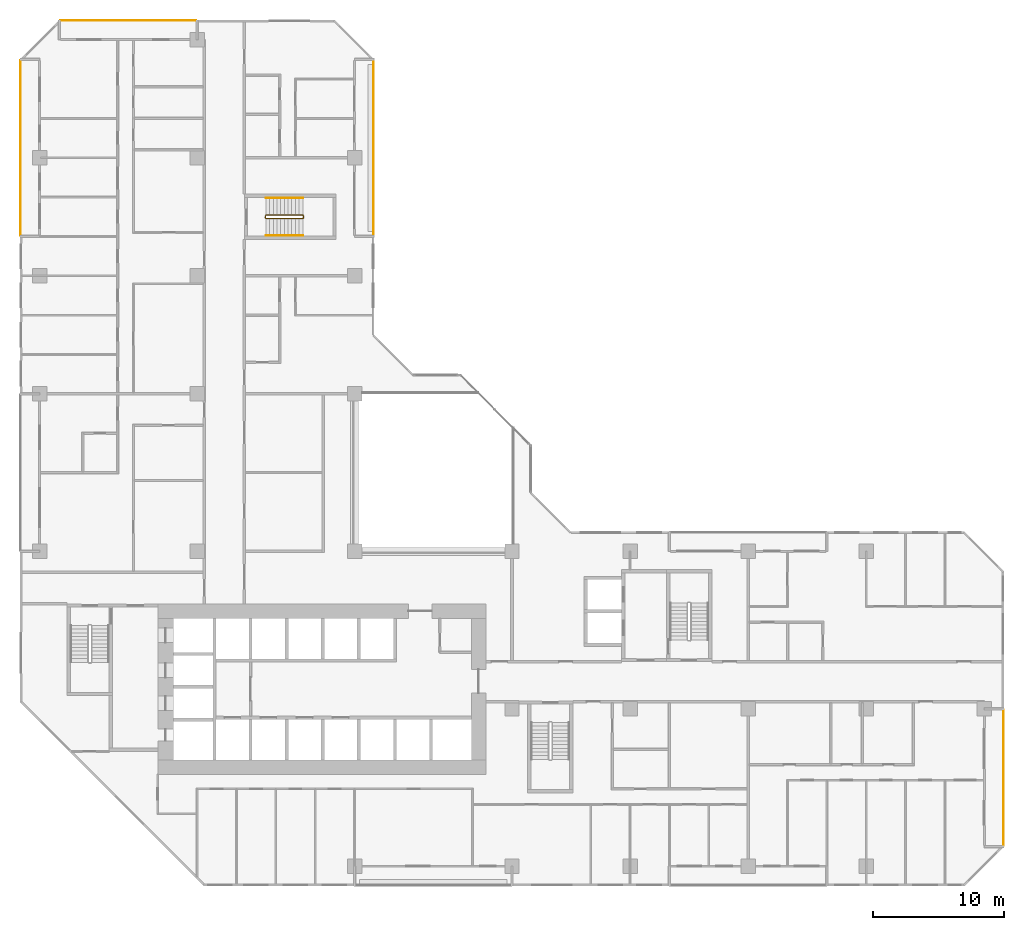
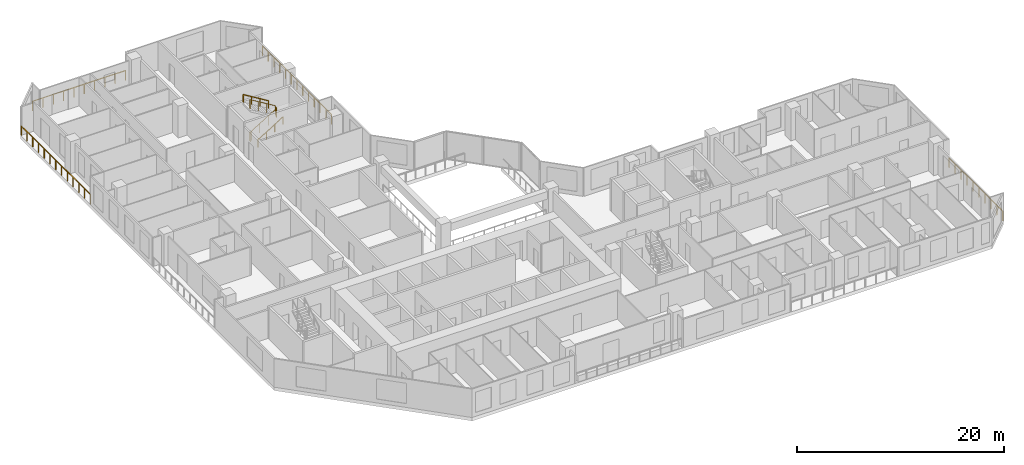
# One storey, part 15 of 15: 7 railings.
"""IFC4 building model written with IfcOpenShell, lengths in metres."""

import ifcopenshell
import ifcopenshell.guid

model = None  # the IFC model being written
_history = None  # IfcOwnerHistory: only IFC2X3 demands one
_inside = {}  # id of a spatial element -> (the spatial element, [elements in it])
_under = {}  # id of a project, library or spatial element -> (it, [spatial elements below it])
_declared = {}  # id of a project -> (the project, [libraries it declares])
_typed = {}  # id of a type object -> (the type object, [elements of that type])
_made_of = {}  # id of a material, layer set ... -> (it, [elements and type objects made of it])


def new_model(schema):
    """Start an empty IFC model of exactly this schema.

    Asked for "IFC4X3", IfcOpenShell would pick the latest addendum, in which some entities
    have other attributes; the version numbers below select the first issue.
    IFC2X3 requires an IfcOwnerHistory on every rooted entity: one is made here for all.
    """
    global model, _history
    if schema == "IFC4X3":
        model = ifcopenshell.file(schema_version=(4, 3, 0, 0))
    else:
        model = ifcopenshell.file(schema=schema)
    _inside.clear()
    _under.clear()
    _declared.clear()
    _typed.clear()
    _made_of.clear()
    _history = None
    if model.schema == "IFC2X3":
        org = make("IfcOrganization", Name="unknown")
        user = make(
            "IfcPersonAndOrganization",
            ThePerson=make("IfcPerson", FamilyName="unknown"),
            TheOrganization=org,
        )
        app = make(
            "IfcApplication",
            ApplicationDeveloper=org,
            Version="unknown",
            ApplicationFullName="unknown",
            ApplicationIdentifier="unknown",
        )
        _history = make(
            "IfcOwnerHistory",
            OwningUser=user,
            OwningApplication=app,
            ChangeAction="ADDED",
            CreationDate=0,
        )
    return model


def make(cls, **values):
    """One entity of the class cls with the attributes given. An attribute that is None is left unset."""
    return model.create_entity(
        cls, **{name: value for name, value in values.items() if value is not None}
    )


def rooted(cls, **values):
    """An entity with a GlobalId (a new one), such as an element, a storey or a relation."""
    return make(cls, GlobalId=ifcopenshell.guid.new(), OwnerHistory=_history, **values)


def si_unit(unit_type, name, prefix=None):
    """IfcSIUnit, for example si_unit("LENGTHUNIT", "METRE", prefix="MILLI")."""
    return make("IfcSIUnit", UnitType=unit_type, Prefix=prefix, Name=name)


def assignment(units):
    """IfcUnitAssignment: the units of a project."""
    return None if units is None else make("IfcUnitAssignment", Units=units)


def point(xyz):
    """IfcCartesianPoint."""
    return None if xyz is None else make("IfcCartesianPoint", Coordinates=xyz)


def direction(xyz):
    """IfcDirection."""
    return None if xyz is None else make("IfcDirection", DirectionRatios=xyz)


def frame(location, z_axis=None, x_axis=None):
    """IfcAxis2Placement3D, a coordinate frame: its origin and axes. An axis left out is left unset."""
    return make(
        "IfcAxis2Placement3D",
        Location=point(location),
        Axis=direction(z_axis),
        RefDirection=direction(x_axis),
    )


def frame_2d(location, x_axis=None):
    """IfcAxis2Placement2D, a coordinate frame in the plane: its origin and x axis."""
    return make(
        "IfcAxis2Placement2D", Location=point(location), RefDirection=direction(x_axis)
    )


def origin():
    """The frame at (0, 0, 0) with its axes left unset."""
    return frame((0.0, 0.0, 0.0))


def origin_2d():
    """The frame at (0, 0) in the plane with its x axis left unset."""
    return frame_2d((0.0, 0.0))


def place(relative_to, where):
    """IfcLocalPlacement: puts the frame where relative to a parent placement (None: the world)."""
    return make(
        "IfcLocalPlacement", PlacementRelTo=relative_to, RelativePlacement=where
    )


def context(
    kind, dimensions, precision=None, world=None, true_north=None, identifier=None
):
    """IfcGeometricRepresentationContext, for example the 3D "Model" context."""
    return make(
        "IfcGeometricRepresentationContext",
        ContextIdentifier=identifier,
        ContextType=kind,
        CoordinateSpaceDimension=dimensions,
        Precision=precision,
        WorldCoordinateSystem=world,
        TrueNorth=true_north,
    )


def subcontext(parent, identifier, kind, view, scale=None):
    """IfcGeometricRepresentationSubContext, for example "Body" below "Model"."""
    return make(
        "IfcGeometricRepresentationSubContext",
        ContextIdentifier=identifier,
        ContextType=kind,
        ParentContext=parent,
        TargetScale=scale,
        TargetView=view,
    )


def project(units=None, contexts=None):
    """IfcProject with its units and contexts."""
    return rooted(
        "IfcProject",
        Name="project",
        RepresentationContexts=contexts,
        UnitsInContext=assignment(units),
    )


def spatial(cls, under=None, at=None, **own):
    """A site, building, storey or space (cls), placed at a placement, below another one or the project."""
    s = rooted(cls, ObjectPlacement=at, **own)
    if under is not None:
        _under.setdefault(under.id(), (under, []))[1].append(s)
    return s


def profile(cls, at=None, kind="AREA", **sizes):
    """A parametric profile (cls). Its sizes go by their IFC names, for example OverallWidth=200.0."""
    return make(cls, ProfileType=kind, Position=at, **sizes)


def rectangle(**sizes):
    """IfcRectangleProfileDef."""
    return profile("IfcRectangleProfileDef", **sizes)


def extrude(swept, where, along, depth):
    """IfcExtrudedAreaSolid: the profile swept, set in the frame where, extruded along a direction by depth."""
    return make(
        "IfcExtrudedAreaSolid",
        SweptArea=swept,
        Position=where,
        ExtrudedDirection=direction(along),
        Depth=depth,
    )


def shape(context_of_items, identifier, shape_type, items):
    """IfcShapeRepresentation: the items that make up one representation, for example the "Body"."""
    return make(
        "IfcShapeRepresentation",
        ContextOfItems=context_of_items,
        RepresentationIdentifier=identifier,
        RepresentationType=shape_type,
        Items=items,
    )


def material(Name=None, Category=None):
    """IfcMaterial."""
    return make("IfcMaterial", Name=Name, Category=Category)


def made_of(thing, what):
    """Note that an element or type object is made of a material, layer set ...; save() writes the relation."""
    if what is not None:
        _made_of.setdefault(what.id(), (what, []))[1].append(thing)
    return thing


def type_object(cls, material=None, **own):
    """A type object (cls), such as IfcWallType, which elements share."""
    return made_of(rooted(cls, **own), material)


def element(
    cls,
    number,
    at=None,
    inside=None,
    cuts=None,
    type_object=None,
    material=None,
    context=None,
    identifier="Body",
    shape_type=None,
    held_by="IfcProductDefinitionShape",
    body=None,
    shapes=None,
    **own,
):
    """One element of the class cls, such as IfcWall. Its Tag is "e" and its number.

    at: its placement. inside: the storey or other place that contains it. cuts: it is an
    opening in that element (IfcRelVoidsElement). A single representation is given by context,
    identifier, shape_type and body (its items); several are given by shapes. held_by: the class
    of the entity that holds the representations. save() writes the other relations.
    """
    e = rooted(cls, Tag="e%d" % number, ObjectPlacement=at, **own)
    if body is not None:
        shapes = [shape(context, identifier, shape_type, body)]
    if shapes is not None:
        e.Representation = make(held_by, Representations=shapes)
    if inside is not None:
        _inside.setdefault(inside.id(), (inside, []))[1].append(e)
    if cuts is not None:
        rooted(
            "IfcRelVoidsElement", RelatingBuildingElement=cuts, RelatedOpeningElement=e
        )
    if type_object is not None:
        _typed.setdefault(type_object.id(), (type_object, []))[1].append(e)
    return made_of(e, material)


def aggregate(whole, parts):
    """IfcRelAggregates: a whole, such as a stair, and the parts it consists of."""
    return rooted("IfcRelAggregates", RelatingObject=whole, RelatedObjects=parts)


def save(model, path):
    """Write the relations noted so far, then the file.

    IfcRelAggregates (storeys below a building ...), IfcRelContainedInSpatialStructure (elements
    in a storey), IfcRelDefinesByType, IfcRelAssociatesMaterial and IfcRelDeclares: one each for
    every whole, place, type object, material and project.
    """
    for whole, parts in _under.values():
        aggregate(whole, parts)
    for where, things in _inside.values():
        rooted(
            "IfcRelContainedInSpatialStructure",
            RelatedElements=things,
            RelatingStructure=where,
        )
    for kind, things in _typed.values():
        rooted("IfcRelDefinesByType", RelatedObjects=things, RelatingType=kind)
    for what, things in _made_of.values():
        rooted("IfcRelAssociatesMaterial", RelatedObjects=things, RelatingMaterial=what)
    for by, libraries in _declared.values():
        rooted("IfcRelDeclares", RelatingContext=by, RelatedDefinitions=libraries)
    model.write(path)


model = new_model("IFC4")

# Units and contexts
model_context = context("Model", 3, precision=1e-05, world=origin(), true_north=direction((0.0, 1.0)))
body_context = subcontext(model_context, "Body", "Model", "MODEL_VIEW")
ifc_project = project(units=[si_unit("LENGTHUNIT", "METRE"), si_unit("AREAUNIT", "SQUARE_METRE"), si_unit("VOLUMEUNIT", "CUBIC_METRE"), si_unit("PLANEANGLEUNIT", "RADIAN"), si_unit("MASSUNIT", "GRAM", prefix="KILO")], contexts=[model_context])

# Site, building, storey
site_placement = place(None, origin())
site = spatial("IfcSite", under=ifc_project, at=site_placement, CompositionType="ELEMENT")
building_placement = place(site_placement, origin())
building = spatial("IfcBuilding", under=site, at=building_placement, Name="Chenar Terraces", CompositionType="ELEMENT")
storey_placement = place(building_placement, frame((0.0, 0.0, 67.64990234375)))
storey = spatial("IfcBuildingStorey", under=building, at=storey_placement, Name="L14", CompositionType="ELEMENT", Elevation=67.64990234375)

# Railings
ifc_material_1 = material(Name="Stainless steel and glass", Category="steel")
railing_type_1 = type_object("IfcRailingType", Name="Loggia guard 1150", PredefinedType="GUARDRAIL", material=ifc_material_1)
railing_1_placement = place(storey_placement, frame((25.449951171875, 48.074951171875, 0.0)))
element("IfcRailing", 1, at=railing_1_placement, inside=storey, type_object=railing_type_1, Name="Loggia guard", PredefinedType="GUARDRAIL", context=body_context, shape_type="SweptSolid", body=[
    extrude(rectangle(XDim=0.048095703125, YDim=0.048095703125, at=origin_2d()), frame((0.0, 0.0, 1.1259765625), z_axis=(0.0, 1.0, 0.0), x_axis=(-1.0, 0.0, 0.0)), (0.0, 0.0, 1.0), 13.35009765625),
    extrude(rectangle(XDim=0.0419921875, YDim=0.0419921875, at=origin_2d()), origin(), (0.0, 0.0, 1.0), 1.101806640625),
    extrude(rectangle(XDim=0.0419921875, YDim=0.0419921875, at=origin_2d()), frame((0.0, 1.112548828125, 0.0)), (0.0, 0.0, 1.0), 1.101806640625),
    extrude(rectangle(XDim=0.0419921875, YDim=0.0419921875, at=origin_2d()), frame((0.0, 2.22509765625, 0.0)), (0.0, 0.0, 1.0), 1.101806640625),
    extrude(rectangle(XDim=0.0419921875, YDim=0.0419921875, at=origin_2d()), frame((0.0, 3.33740234375, 0.0)), (0.0, 0.0, 1.0), 1.101806640625),
    extrude(rectangle(XDim=0.0419921875, YDim=0.0419921875, at=origin_2d()), frame((0.0, 4.449951171875, 0.0)), (0.0, 0.0, 1.0), 1.101806640625),
    extrude(rectangle(XDim=0.0419921875, YDim=0.0419921875, at=origin_2d()), frame((0.0, 5.5625, 0.0)), (0.0, 0.0, 1.0), 1.101806640625),
    extrude(rectangle(XDim=0.0419921875, YDim=0.0419921875, at=origin_2d()), frame((0.0, 6.675048828125, 0.0)), (0.0, 0.0, 1.0), 1.101806640625),
    extrude(rectangle(XDim=0.0419921875, YDim=0.0419921875, at=origin_2d()), frame((0.0, 7.78759765625, 0.0)), (0.0, 0.0, 1.0), 1.101806640625),
    extrude(rectangle(XDim=0.0419921875, YDim=0.0419921875, at=origin_2d()), frame((0.0, 8.900146484375, 0.0)), (0.0, 0.0, 1.0), 1.101806640625),
    extrude(rectangle(XDim=0.0419921875, YDim=0.0419921875, at=origin_2d()), frame((0.0, 10.0126953125, 0.0)), (0.0, 0.0, 1.0), 1.101806640625),
    extrude(rectangle(XDim=0.0419921875, YDim=0.0419921875, at=origin_2d()), frame((0.0, 11.125, 0.0)), (0.0, 0.0, 1.0), 1.101806640625),
    extrude(rectangle(XDim=0.0419921875, YDim=0.0419921875, at=origin_2d()), frame((0.0, 12.237548828125, 0.0)), (0.0, 0.0, 1.0), 1.101806640625),
    extrude(rectangle(XDim=0.0419921875, YDim=0.0419921875, at=origin_2d()), frame((0.0, 13.35009765625, 0.0)), (0.0, 0.0, 1.0), 1.101806640625),
])
railing_2_placement = place(storey_placement, frame((73.449951171875, 1.574951171875, 0.0)))
element("IfcRailing", 2, at=railing_2_placement, inside=storey, type_object=railing_type_1, Name="Loggia guard", PredefinedType="GUARDRAIL", context=body_context, shape_type="SweptSolid", body=[
    extrude(rectangle(XDim=0.048095703125, YDim=0.048095703125, at=origin_2d()), frame((0.0, 0.0, 1.1259765625), z_axis=(0.0, 1.0, 0.0), x_axis=(-1.0, 0.0, 0.0)), (0.0, 0.0, 1.0), 10.35009765625),
    extrude(rectangle(XDim=0.0419921875, YDim=0.0419921875, at=origin_2d()), origin(), (0.0, 0.0, 1.0), 1.101806640625),
    extrude(rectangle(XDim=0.0419921875, YDim=0.0419921875, at=origin_2d()), frame((0.0, 1.14990234375, 0.0)), (0.0, 0.0, 1.0), 1.101806640625),
    extrude(rectangle(XDim=0.0419921875, YDim=0.0419921875, at=origin_2d()), frame((0.0, 2.300048828125, 0.0)), (0.0, 0.0, 1.0), 1.101806640625),
    extrude(rectangle(XDim=0.0419921875, YDim=0.0419921875, at=origin_2d()), frame((0.0, 3.449951171875, 0.0)), (0.0, 0.0, 1.0), 1.101806640625),
    extrude(rectangle(XDim=0.0419921875, YDim=0.0419921875, at=origin_2d()), frame((0.0, 4.60009765625, 0.0)), (0.0, 0.0, 1.0), 1.101806640625),
    extrude(rectangle(XDim=0.0419921875, YDim=0.0419921875, at=origin_2d()), frame((0.0, 5.75, 0.0)), (0.0, 0.0, 1.0), 1.101806640625),
    extrude(rectangle(XDim=0.0419921875, YDim=0.0419921875, at=origin_2d()), frame((0.0, 6.900146484375, 0.0)), (0.0, 0.0, 1.0), 1.101806640625),
    extrude(rectangle(XDim=0.0419921875, YDim=0.0419921875, at=origin_2d()), frame((0.0, 8.050048828125, 0.0)), (0.0, 0.0, 1.0), 1.101806640625),
    extrude(rectangle(XDim=0.0419921875, YDim=0.0419921875, at=origin_2d()), frame((0.0, 9.2001953125, 0.0)), (0.0, 0.0, 1.0), 1.101806640625),
    extrude(rectangle(XDim=0.0419921875, YDim=0.0419921875, at=origin_2d()), frame((0.0, 10.35009765625, 0.0)), (0.0, 0.0, 1.0), 1.101806640625),
])
railing_3_placement = place(storey_placement, frame((11.925048828125, 64.449951171875, 0.0)))
element("IfcRailing", 3, at=railing_3_placement, inside=storey, type_object=railing_type_1, Name="Loggia guard", PredefinedType="GUARDRAIL", context=body_context, shape_type="SweptSolid", body=[
    extrude(rectangle(XDim=0.048095703125, YDim=0.048095703125, at=origin_2d()), frame((0.0, 0.0, 1.1259765625), z_axis=(-1.0, 0.0, 0.0), x_axis=(0.0, -1.0, 0.0)), (0.0, 0.0, 1.0), 10.35009765625),
    extrude(rectangle(XDim=0.0419921875, YDim=0.0419921875, at=origin_2d()), origin(), (0.0, 0.0, 1.0), 1.101806640625),
    extrude(rectangle(XDim=0.0419921875, YDim=0.0419921875, at=origin_2d()), frame((-1.14990234375, 0.0, 0.0)), (0.0, 0.0, 1.0), 1.101806640625),
    extrude(rectangle(XDim=0.0419921875, YDim=0.0419921875, at=origin_2d()), frame((-2.300048828125, 0.0, 0.0)), (0.0, 0.0, 1.0), 1.101806640625),
    extrude(rectangle(XDim=0.0419921875, YDim=0.0419921875, at=origin_2d()), frame((-3.449951171875, 0.0, 0.0)), (0.0, 0.0, 1.0), 1.101806640625),
    extrude(rectangle(XDim=0.0419921875, YDim=0.0419921875, at=origin_2d()), frame((-4.60009765625, 0.0, 0.0)), (0.0, 0.0, 1.0), 1.101806640625),
    extrude(rectangle(XDim=0.0419921875, YDim=0.0419921875, at=origin_2d()), frame((-5.75, 0.0, 0.0)), (0.0, 0.0, 1.0), 1.101806640625),
    extrude(rectangle(XDim=0.0419921875, YDim=0.0419921875, at=origin_2d()), frame((-6.900146484375, 0.0, 0.0)), (0.0, 0.0, 1.0), 1.101806640625),
    extrude(rectangle(XDim=0.0419921875, YDim=0.0419921875, at=origin_2d()), frame((-8.050048828125, 0.0, 0.0)), (0.0, 0.0, 1.0), 1.101806640625),
    extrude(rectangle(XDim=0.0419921875, YDim=0.0419921875, at=origin_2d()), frame((-9.2001953125, 0.0, 0.0)), (0.0, 0.0, 1.0), 1.101806640625),
    extrude(rectangle(XDim=0.0419921875, YDim=0.0419921875, at=origin_2d()), frame((-10.35009765625, 0.0, 0.0)), (0.0, 0.0, 1.0), 1.101806640625),
])
railing_4_placement = place(storey_placement, frame((-1.449951171875, 61.425048828125, 0.0)))
element("IfcRailing", 4, at=railing_4_placement, inside=storey, type_object=railing_type_1, Name="Loggia guard", PredefinedType="GUARDRAIL", context=body_context, shape_type="SweptSolid", body=[
    extrude(rectangle(XDim=0.048095703125, YDim=0.048095703125, at=origin_2d()), frame((0.0, 0.0, 1.1259765625), z_axis=(0.0, -1.0, 0.0), x_axis=(1.0, 0.0, 0.0)), (0.0, 0.0, 1.0), 13.35009765625),
    extrude(rectangle(XDim=0.0419921875, YDim=0.0419921875, at=origin_2d()), origin(), (0.0, 0.0, 1.0), 1.101806640625),
    extrude(rectangle(XDim=0.0419921875, YDim=0.0419921875, at=origin_2d()), frame((0.0, -1.112548828125, 0.0)), (0.0, 0.0, 1.0), 1.101806640625),
    extrude(rectangle(XDim=0.0419921875, YDim=0.0419921875, at=origin_2d()), frame((0.0, -2.22509765625, 0.0)), (0.0, 0.0, 1.0), 1.101806640625),
    extrude(rectangle(XDim=0.0419921875, YDim=0.0419921875, at=origin_2d()), frame((0.0, -3.33740234375, 0.0)), (0.0, 0.0, 1.0), 1.101806640625),
    extrude(rectangle(XDim=0.0419921875, YDim=0.0419921875, at=origin_2d()), frame((0.0, -4.449951171875, 0.0)), (0.0, 0.0, 1.0), 1.101806640625),
    extrude(rectangle(XDim=0.0419921875, YDim=0.0419921875, at=origin_2d()), frame((0.0, -5.5625, 0.0)), (0.0, 0.0, 1.0), 1.101806640625),
    extrude(rectangle(XDim=0.0419921875, YDim=0.0419921875, at=origin_2d()), frame((0.0, -6.675048828125, 0.0)), (0.0, 0.0, 1.0), 1.101806640625),
    extrude(rectangle(XDim=0.0419921875, YDim=0.0419921875, at=origin_2d()), frame((0.0, -7.78759765625, 0.0)), (0.0, 0.0, 1.0), 1.101806640625),
    extrude(rectangle(XDim=0.0419921875, YDim=0.0419921875, at=origin_2d()), frame((0.0, -8.900146484375, 0.0)), (0.0, 0.0, 1.0), 1.101806640625),
    extrude(rectangle(XDim=0.0419921875, YDim=0.0419921875, at=origin_2d()), frame((0.0, -10.0126953125, 0.0)), (0.0, 0.0, 1.0), 1.101806640625),
    extrude(rectangle(XDim=0.0419921875, YDim=0.0419921875, at=origin_2d()), frame((0.0, -11.125, 0.0)), (0.0, 0.0, 1.0), 1.101806640625),
    extrude(rectangle(XDim=0.0419921875, YDim=0.0419921875, at=origin_2d()), frame((0.0, -12.237548828125, 0.0)), (0.0, 0.0, 1.0), 1.101806640625),
    extrude(rectangle(XDim=0.0419921875, YDim=0.0419921875, at=origin_2d()), frame((0.0, -13.35009765625, 0.0)), (0.0, 0.0, 1.0), 1.101806640625),
])
ifc_material_2 = material(Name="Powder-coated steel", Category="steel")
railing_type_2 = type_object("IfcRailingType", Name="Stair guard 1100", PredefinedType="GUARDRAIL", material=ifc_material_2)
railing_5_placement = place(storey_placement, frame((17.25, 49.625, 3.75)))
element("IfcRailing", 5, at=railing_5_placement, inside=storey, type_object=railing_type_2, Name="L14 ST4 stair guard 1", PredefinedType="GUARDRAIL", context=body_context, shape_type="SweptSolid", body=[
    extrude(rectangle(XDim=0.048095703125, YDim=0.048095703125, at=origin_2d()), frame((0.0, 0.0, 1.076171875), z_axis=(0.854202870247, 0.0, -0.519939858505), x_axis=(0.0, 1.0, 0.0)), (0.0, 0.0, 1.0), 3.278076171875),
    extrude(rectangle(XDim=0.048095703125, YDim=0.048095703125, at=origin_2d()), frame((2.800048828125, 0.0, -0.62841796875), z_axis=(0.270899902878, -0.270899902878, -0.923702595667), x_axis=(0.707106781187, 0.707106781187, 0.0)), (0.0, 0.0, 1.0), 0.184814453125),
    extrude(rectangle(XDim=0.048095703125, YDim=0.048095703125, at=origin_2d()), frame((2.85009765625, -0.050048828125, -0.798828125), z_axis=(0.0, -1.0, 0.0), x_axis=(1.0, 0.0, 0.0)), (0.0, 0.0, 1.0), 0.14990234375),
    extrude(rectangle(XDim=0.048095703125, YDim=0.048095703125, at=origin_2d()), frame((2.85009765625, -0.199951171875, -0.798828125), z_axis=(-0.707106781187, -0.707106781187, 0.0), x_axis=(0.707106781187, -0.707106781187, 0.0)), (0.0, 0.0, 1.0), 0.07080078125),
    extrude(rectangle(XDim=0.048095703125, YDim=0.048095703125, at=origin_2d()), frame((2.800048828125, -0.25, -0.798828125), z_axis=(-0.854202870247, 0.0, -0.519939858505), x_axis=(0.0, -1.0, 0.0)), (0.0, 0.0, 1.0), 3.278076171875),
    extrude(rectangle(XDim=0.048095703125, YDim=0.048095703125, at=origin_2d()), frame((0.0, -0.25, -2.50341796875), z_axis=(-0.270899902878, 0.270899902878, -0.923702595667), x_axis=(-0.707106781187, -0.707106781187, 0.0)), (0.0, 0.0, 1.0), 0.184814453125),
    extrude(rectangle(XDim=0.048095703125, YDim=0.048095703125, at=origin_2d()), frame((-0.050048828125, -0.199951171875, -2.673828125), z_axis=(0.0, 1.0, 0.0), x_axis=(-1.0, 0.0, 0.0)), (0.0, 0.0, 1.0), 0.14990234375),
    extrude(rectangle(XDim=0.0419921875, YDim=0.0419921875, at=origin_2d()), origin(), (0.0, 0.0, 1.0), 1.052001953125),
    extrude(rectangle(XDim=0.0419921875, YDim=0.0419921875, at=origin_2d()), frame((0.933349609375, 0.0, -0.568115234375)), (0.0, 0.0, 1.0), 1.052001953125),
    extrude(rectangle(XDim=0.0419921875, YDim=0.0419921875, at=origin_2d()), frame((1.86669921875, 0.0, -1.13623046875)), (0.0, 0.0, 1.0), 1.052001953125),
    extrude(rectangle(XDim=0.0419921875, YDim=0.0419921875, at=origin_2d()), frame((2.800048828125, 0.0, -1.704345703125)), (0.0, 0.0, 1.0), 1.052001953125),
    extrude(rectangle(XDim=0.0419921875, YDim=0.0419921875, at=origin_2d()), frame((2.85009765625, -0.050048828125, -1.875)), (0.0, 0.0, 1.0), 1.052001953125),
    extrude(rectangle(XDim=0.0419921875, YDim=0.0419921875, at=origin_2d()), frame((2.85009765625, -0.199951171875, -1.875)), (0.0, 0.0, 1.0), 1.052001953125),
    extrude(rectangle(XDim=0.0419921875, YDim=0.0419921875, at=origin_2d()), frame((2.800048828125, -0.25, -1.875)), (0.0, 0.0, 1.0), 1.052001953125),
    extrude(rectangle(XDim=0.0419921875, YDim=0.0419921875, at=origin_2d()), frame((1.86669921875, -0.25, -2.443115234375)), (0.0, 0.0, 1.0), 1.052001953125),
    extrude(rectangle(XDim=0.0419921875, YDim=0.0419921875, at=origin_2d()), frame((0.933349609375, -0.25, -3.01123046875)), (0.0, 0.0, 1.0), 1.052001953125),
    extrude(rectangle(XDim=0.0419921875, YDim=0.0419921875, at=origin_2d()), frame((0.0, -0.25, -3.579345703125)), (0.0, 0.0, 1.0), 1.052001953125),
    extrude(rectangle(XDim=0.0419921875, YDim=0.0419921875, at=origin_2d()), frame((-0.050048828125, -0.199951171875, -3.75)), (0.0, 0.0, 1.0), 1.052001953125),
    extrude(rectangle(XDim=0.0419921875, YDim=0.0419921875, at=origin_2d()), frame((-0.050048828125, -0.050048828125, -3.75)), (0.0, 0.0, 1.0), 1.052001953125),
])
ifc_material_3 = material(Name="Powder-coated steel", Category="steel")
railing_type_3 = type_object("IfcRailingType", Name="Stair handrail 900", PredefinedType="HANDRAIL", material=ifc_material_3)
railing_6_placement = place(storey_placement, frame((17.25, 48.074951171875, 0.170654296875)))
element("IfcRailing", 6, at=railing_6_placement, inside=storey, type_object=railing_type_3, Name="L14 ST4 stair handrail 1", PredefinedType="HANDRAIL", context=body_context, shape_type="SweptSolid", body=[
    extrude(rectangle(XDim=0.048095703125, YDim=0.048095703125, at=origin_2d()), frame((0.0, 0.0, 0.8759765625), z_axis=(0.854202870247, 0.0, 0.519939858505), x_axis=(0.0, 1.0, 0.0)), (0.0, 0.0, 1.0), 3.278076171875),
    extrude(rectangle(XDim=0.0419921875, YDim=0.0419921875, at=origin_2d()), origin(), (0.0, 0.0, 1.0), 0.851806640625),
    extrude(rectangle(XDim=0.0419921875, YDim=0.0419921875, at=origin_2d()), frame((0.933349609375, 0.0, 0.568115234375)), (0.0, 0.0, 1.0), 0.851806640625),
    extrude(rectangle(XDim=0.0419921875, YDim=0.0419921875, at=origin_2d()), frame((1.86669921875, 0.0, 1.13623046875)), (0.0, 0.0, 1.0), 0.851806640625),
    extrude(rectangle(XDim=0.0419921875, YDim=0.0419921875, at=origin_2d()), frame((2.800048828125, 0.0, 1.704345703125)), (0.0, 0.0, 1.0), 0.851806640625),
])
railing_7_placement = place(storey_placement, frame((20.050048828125, 50.925048828125, 2.045654296875)))
element("IfcRailing", 7, at=railing_7_placement, inside=storey, type_object=railing_type_3, Name="L14 ST4 stair handrail 2", PredefinedType="HANDRAIL", context=body_context, shape_type="SweptSolid", body=[
    extrude(rectangle(XDim=0.048095703125, YDim=0.048095703125, at=origin_2d()), frame((0.0, 0.0, 0.8759765625), z_axis=(-0.854202870247, 0.0, 0.519939858505), x_axis=(0.0, -1.0, 0.0)), (0.0, 0.0, 1.0), 3.278076171875),
    extrude(rectangle(XDim=0.0419921875, YDim=0.0419921875, at=origin_2d()), origin(), (0.0, 0.0, 1.0), 0.851806640625),
    extrude(rectangle(XDim=0.0419921875, YDim=0.0419921875, at=origin_2d()), frame((-0.933349609375, 0.0, 0.568115234375)), (0.0, 0.0, 1.0), 0.851806640625),
    extrude(rectangle(XDim=0.0419921875, YDim=0.0419921875, at=origin_2d()), frame((-1.86669921875, 0.0, 1.13623046875)), (0.0, 0.0, 1.0), 0.851806640625),
    extrude(rectangle(XDim=0.0419921875, YDim=0.0419921875, at=origin_2d()), frame((-2.800048828125, 0.0, 1.704345703125)), (0.0, 0.0, 1.0), 0.851806640625),
])

save(model, "model.ifc")
